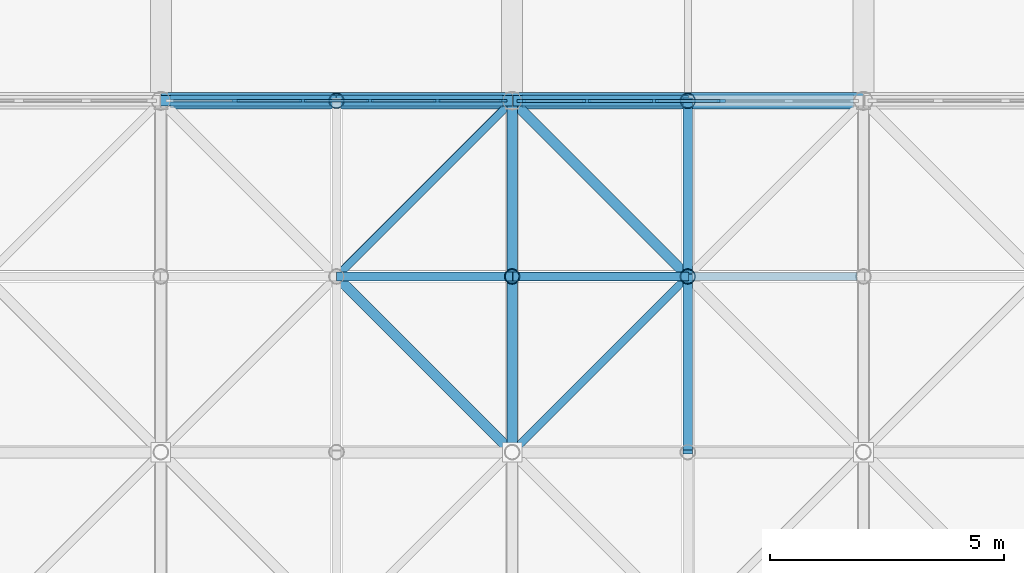
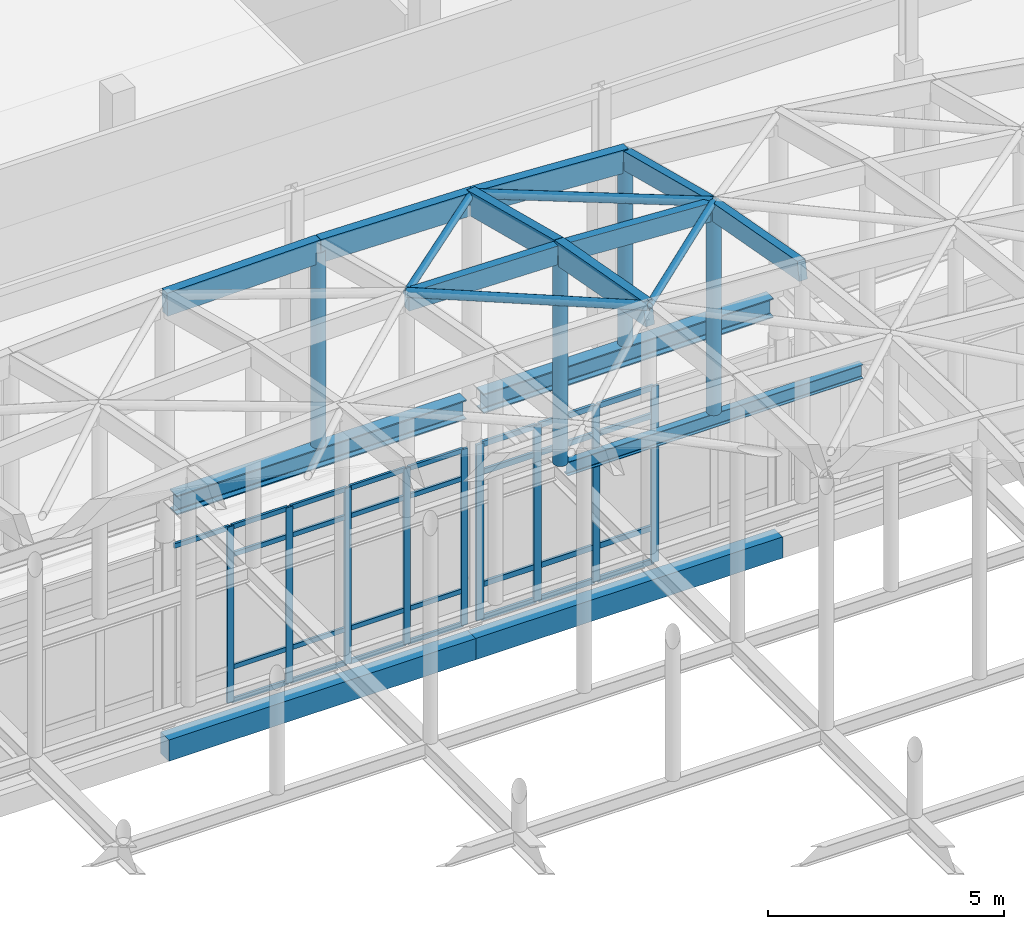
# One storey, part 41 of 131: 55 members, 5 beams, 2 elements without a shape of their own.
"""IFC4 building model written with IfcOpenShell, lengths in metres."""

from ifc_helpers import new_model, si_unit, direction, frame, origin, origin_2d, place, context, subcontext, project, spatial, rectangle, hollow_circle, i_section, extrude, material, layer, layer_set, material_profile, profile_set, type_object, element, aggregate, save


model = new_model("IFC4")

# Units and contexts
model_context = context("Model", 3, precision=1e-05, world=origin(), true_north=direction((0.0, 1.0)))
body_context = subcontext(model_context, "Body", "Model", "MODEL_VIEW")
ifc_project = project(units=[si_unit("LENGTHUNIT", "METRE"), si_unit("AREAUNIT", "SQUARE_METRE"), si_unit("VOLUMEUNIT", "CUBIC_METRE"), si_unit("PLANEANGLEUNIT", "RADIAN"), si_unit("MASSUNIT", "GRAM", prefix="KILO")], contexts=[model_context])

# Site, building, storey
site_placement = place(None, origin())
site = spatial("IfcSite", under=ifc_project, at=site_placement, CompositionType="ELEMENT")
building_placement = place(site_placement, origin())
building = spatial("IfcBuilding", under=site, at=building_placement, Name="Dalvernix Boulevard General Hospital", CompositionType="ELEMENT")
storey_placement = place(building_placement, frame((0.0, 0.0, 9.300048828125)))
storey = spatial("IfcBuildingStorey", under=building, at=storey_placement, Name="L02", CompositionType="ELEMENT", Elevation=9.300048828125)

# Beams
ifc_material_1 = material(Name="Steel S355", Category="steel")
ifc_material_profile_1 = material_profile(ifc_material_1, i_section(OverallWidth=0.300048828125, OverallDepth=0.5, WebThickness=0.014404296875, FlangeThickness=0.028076171875, FilletRadius=0.027099609375, at=origin_2d()), Name="HEB 500")
ifc_profile_set_1 = profile_set([ifc_material_profile_1], Name="Steel S355")
beam_type_1 = type_object("IfcBeamType", Name="BM-RB-02", PredefinedType="BEAM", material=ifc_profile_set_1)
for number, where, z_axis, x_axis, name in (
    (1, (82.7099609375, 61.5, 5.64990234375), (1.0, 0.0, 0.0), (0.0, 1.0, 0.0), "Gridshell Ring Beam N bay 4"),
    (2, (90.2099609375, 61.5, 5.64990234375), (1.0, 0.0, 0.0), (0.0, 1.0, 0.0), "Gridshell Ring Beam N bay 5"),
):
    element("IfcBeam", number, at=place(storey_placement, frame(where, z_axis=z_axis, x_axis=x_axis)), inside=storey, type_object=beam_type_1, Name=name, PredefinedType="BEAM", context=body_context, shape_type="SweptSolid", body=[
        extrude(i_section(OverallWidth=0.300048828125, OverallDepth=0.5, WebThickness=0.014404296875, FlangeThickness=0.028076171875, FilletRadius=0.027099609375, at=origin_2d()), origin(), (0.0, 0.0, 1.0), 7.080078125),
    ])
ifc_material_profile_2 = material_profile(ifc_material_1, i_section(OverallWidth=0.169921875, OverallDepth=0.360107421875, WebThickness=0.008056640625, FlangeThickness=0.0126953125, FilletRadius=0.01806640625, at=origin_2d()), Name="IPE 360")
ifc_profile_set_2 = profile_set([ifc_material_profile_2], Name="Steel S355")
beam_type_2 = type_object("IfcBeamType", Name="BM-RB-08", PredefinedType="BEAM", material=ifc_profile_set_2)
beam_placement = place(storey_placement, frame((90.14208984375, 57.75, 6.219970703125), z_axis=(1.0, 0.0, 0.0), x_axis=(0.0, 1.0, 0.0)))
element("IfcBeam", 3, at=beam_placement, inside=storey, type_object=beam_type_2, Name="ROOF TRUSS Gridshell cross tie 8-7", PredefinedType="BEAM", context=body_context, shape_type="SweptSolid", body=[
    extrude(i_section(OverallWidth=0.169921875, OverallDepth=0.360107421875, WebThickness=0.008056640625, FlangeThickness=0.0126953125, FilletRadius=0.01806640625, at=origin_2d()), origin(), (0.0, 0.0, 1.0), 7.2158203125),
])
ifc_material_2 = material(Name="Concrete C35/45", Category="concrete")
ifc_material_profile_3 = material_profile(ifc_material_2, rectangle(XDim=0.35009765625, YDim=0.550048828125, at=origin_2d()), Name="RCB 350x550")
ifc_profile_set_3 = profile_set([ifc_material_profile_3], Name="Concrete C35/45")
beam_type_3 = type_object("IfcBeamType", Name="BM-SB-01-E", PredefinedType="SPANDREL", material=ifc_profile_set_3)
for number, where, z_axis, x_axis, name in (
    (4, (82.5, 61.5, -0.594970703125), (1.0, 0.0, 0.0), (0.0, 1.0, 0.0), "L02 E-W girder J:12-13"),
    (5, (90.0, 61.5, -0.594970703125), (1.0, 0.0, 0.0), (0.0, 1.0, 0.0), "L02 E-W girder J:13-14"),
):
    element("IfcBeam", number, at=place(storey_placement, frame(where, z_axis=z_axis, x_axis=x_axis)), inside=storey, type_object=beam_type_3, Name=name, PredefinedType="SPANDREL", context=body_context, shape_type="SweptSolid", body=[
        extrude(rectangle(XDim=0.35009765625, YDim=0.550048828125, at=origin_2d()), origin(), (0.0, 0.0, 1.0), 7.5),
    ])

# Curtain wall, members
ifc_material_3 = material(Name="Thermally broken aluminium and solar-control glass curtain wall", Category="aluminium")
ifc_layer_1 = layer(ifc_material_3, 0.159912109375)
ifc_layer_set_1 = layer_set([ifc_layer_1], Name="Thermally broken aluminium and solar-control glass curtain wall (CW-CW-A-72x46)")
curtain_wall_type_1 = type_object("IfcCurtainWallType", Name="CW-CW-A-72x46", PredefinedType="USERDEFINED", material=ifc_layer_set_1)
curtain_wall_1_placement = place(storey_placement, origin())
curtain_wall_1 = element("IfcCurtainWall", 6, at=curtain_wall_1_placement, inside=storey, type_object=curtain_wall_type_1, Name="L02 curtain wall CW-A-72x46 11-8", ObjectType="GLAZED FACADE", PredefinedType="USERDEFINED")
ifc_material_4 = material(Name="Aluminium EN AW-6060", Category="aluminium")
ifc_material_profile_4 = material_profile(ifc_material_4, rectangle(XDim=0.06005859375, YDim=0.159912109375, at=origin_2d()), Name="ALU MULL 60x160")
ifc_profile_set_4 = profile_set([ifc_material_profile_4], Name="Aluminium EN AW-6060")
member_type_1 = type_object("IfcMemberType", Name="MEM-CW-M1", PredefinedType="MULLION", material=ifc_profile_set_4)
member_1_placement = place(storey_placement, frame((89.81005859375, 61.5, 0.0), z_axis=(0.0, 0.0, 1.0), x_axis=(0.0, -1.0, 0.0)))
member_1 = element("IfcMember", 7, at=member_1_placement, type_object=member_type_1, Name="CW-A-72x46 mullion 1", PredefinedType="MULLION", context=body_context, shape_type="SweptSolid", body=[
    extrude(rectangle(XDim=0.06005859375, YDim=0.159912109375, at=origin_2d()), origin(), (0.0, 0.0, 1.0), 4.550048828125),
])
member_2_placement = place(storey_placement, frame((88.404052734375, 61.5, 0.0), z_axis=(0.0, 0.0, 1.0), x_axis=(0.0, -1.0, 0.0)))
member_2 = element("IfcMember", 8, at=member_2_placement, type_object=member_type_1, Name="CW-A-72x46 mullion 2", PredefinedType="MULLION", context=body_context, shape_type="SweptSolid", body=[
    extrude(rectangle(XDim=0.06005859375, YDim=0.159912109375, at=origin_2d()), origin(), (0.0, 0.0, 1.0), 4.550048828125),
])
member_3_placement = place(storey_placement, frame((86.968017578125, 61.5, 0.0), z_axis=(0.0, 0.0, 1.0), x_axis=(0.0, -1.0, 0.0)))
member_3 = element("IfcMember", 9, at=member_3_placement, type_object=member_type_1, Name="CW-A-72x46 mullion 3", PredefinedType="MULLION", context=body_context, shape_type="SweptSolid", body=[
    extrude(rectangle(XDim=0.06005859375, YDim=0.159912109375, at=origin_2d()), origin(), (0.0, 0.0, 1.0), 4.550048828125),
])
member_4_placement = place(storey_placement, frame((85.531982421875, 61.5, 0.0), z_axis=(0.0, 0.0, 1.0), x_axis=(0.0, -1.0, 0.0)))
member_4 = element("IfcMember", 10, at=member_4_placement, type_object=member_type_1, Name="CW-A-72x46 mullion 4", PredefinedType="MULLION", context=body_context, shape_type="SweptSolid", body=[
    extrude(rectangle(XDim=0.06005859375, YDim=0.159912109375, at=origin_2d()), origin(), (0.0, 0.0, 1.0), 4.550048828125),
])
member_5_placement = place(storey_placement, frame((84.095947265625, 61.5, 0.0), z_axis=(0.0, 0.0, 1.0), x_axis=(0.0, -1.0, 0.0)))
member_5 = element("IfcMember", 11, at=member_5_placement, type_object=member_type_1, Name="CW-A-72x46 mullion 5", PredefinedType="MULLION", context=body_context, shape_type="SweptSolid", body=[
    extrude(rectangle(XDim=0.06005859375, YDim=0.159912109375, at=origin_2d()), origin(), (0.0, 0.0, 1.0), 4.550048828125),
])

ifc_layer_2 = layer(ifc_material_3, 0.179931640625)
ifc_layer_set_2 = layer_set([ifc_layer_2], Name="Thermally broken aluminium and solar-control glass curtain wall (CW-CW-B-72x46)")
curtain_wall_type_2 = type_object("IfcCurtainWallType", Name="CW-CW-B-72x46", PredefinedType="USERDEFINED", material=ifc_layer_set_2)
curtain_wall_2_placement = place(storey_placement, origin())
curtain_wall_2 = element("IfcCurtainWall", 12, at=curtain_wall_2_placement, inside=storey, type_object=curtain_wall_type_2, Name="L02 curtain wall CW-B-72x46 12-8", ObjectType="GLAZED FACADE", PredefinedType="USERDEFINED")
ifc_material_profile_5 = material_profile(ifc_material_4, rectangle(XDim=0.06494140625, YDim=0.179931640625, at=origin_2d()), Name="ALU MULL 65x180")
ifc_profile_set_5 = profile_set([ifc_material_profile_5], Name="Aluminium EN AW-6060")
member_type_2 = type_object("IfcMemberType", Name="MEM-CW-M2", PredefinedType="MULLION", material=ifc_profile_set_5)
member_6_placement = place(storey_placement, frame((94.468017578125, 61.5, 0.0), z_axis=(0.0, 0.0, 1.0), x_axis=(0.0, -1.0, 0.0)))
member_6 = element("IfcMember", 13, at=member_6_placement, type_object=member_type_2, Name="CW-B-72x46 mullion 3", PredefinedType="MULLION", context=body_context, shape_type="SweptSolid", body=[
    extrude(rectangle(XDim=0.06494140625, YDim=0.179931640625, at=origin_2d()), origin(), (0.0, 0.0, 1.0), 4.550048828125),
])
member_7_placement = place(storey_placement, frame((93.031982421875, 61.5, 0.0), z_axis=(0.0, 0.0, 1.0), x_axis=(0.0, -1.0, 0.0)))
member_7 = element("IfcMember", 14, at=member_7_placement, type_object=member_type_2, Name="CW-B-72x46 mullion 4", PredefinedType="MULLION", context=body_context, shape_type="SweptSolid", body=[
    extrude(rectangle(XDim=0.06494140625, YDim=0.179931640625, at=origin_2d()), origin(), (0.0, 0.0, 1.0), 4.550048828125),
])
member_8_placement = place(storey_placement, frame((91.595947265625, 61.5, 0.0), z_axis=(0.0, 0.0, 1.0), x_axis=(0.0, -1.0, 0.0)))
member_8 = element("IfcMember", 15, at=member_8_placement, type_object=member_type_2, Name="CW-B-72x46 mullion 5", PredefinedType="MULLION", context=body_context, shape_type="SweptSolid", body=[
    extrude(rectangle(XDim=0.06494140625, YDim=0.179931640625, at=origin_2d()), origin(), (0.0, 0.0, 1.0), 4.550048828125),
])
member_9_placement = place(storey_placement, frame((90.1923828125, 61.5, 0.0), z_axis=(0.0, 0.0, 1.0), x_axis=(0.0, -1.0, 0.0)))
member_9 = element("IfcMember", 16, at=member_9_placement, type_object=member_type_2, Name="CW-B-72x46 mullion 6", PredefinedType="MULLION", context=body_context, shape_type="SweptSolid", body=[
    extrude(rectangle(XDim=0.06494140625, YDim=0.179931640625, at=origin_2d()), origin(), (0.0, 0.0, 1.0), 4.550048828125),
])

# Member
ifc_material_profile_6 = material_profile(ifc_material_4, rectangle(XDim=0.06005859375, YDim=0.1201171875, at=origin_2d()), Name="ALU TRAN 60x120")
ifc_profile_set_6 = profile_set([ifc_material_profile_6], Name="Aluminium EN AW-6060")
member_type_3 = type_object("IfcMemberType", Name="MEM-CW-T1", PredefinedType="USERDEFINED", material=ifc_profile_set_6)
member_10_placement = place(storey_placement, frame((89.780029296875, 61.5, 0.030029296875), z_axis=(-1.0, 0.0, 0.0), x_axis=(0.0, -1.0, 0.0)))
member_10 = element("IfcMember", 17, at=member_10_placement, type_object=member_type_3, Name="CW-A-72x46 transom 1.1", ObjectType="TRANSOM", PredefinedType="USERDEFINED", context=body_context, shape_type="SweptSolid", body=[
    extrude(rectangle(XDim=0.06005859375, YDim=0.1201171875, at=origin_2d()), origin(), (0.0, 0.0, 1.0), 1.345947265625),
])

member_11_placement = place(storey_placement, frame((89.780029296875, 61.5, 0.89990234375), z_axis=(-1.0, 0.0, 0.0), x_axis=(0.0, -1.0, 0.0)))
member_11 = element("IfcMember", 18, at=member_11_placement, type_object=member_type_3, Name="CW-A-72x46 transom 1.2", ObjectType="TRANSOM", PredefinedType="USERDEFINED", context=body_context, shape_type="SweptSolid", body=[
    extrude(rectangle(XDim=0.06005859375, YDim=0.1201171875, at=origin_2d()), origin(), (0.0, 0.0, 1.0), 1.345947265625),
])

member_12_placement = place(storey_placement, frame((89.780029296875, 61.5, 3.800048828125), z_axis=(-1.0, 0.0, 0.0), x_axis=(0.0, -1.0, 0.0)))
member_12 = element("IfcMember", 19, at=member_12_placement, type_object=member_type_3, Name="CW-A-72x46 transom 1.3", ObjectType="TRANSOM", PredefinedType="USERDEFINED", context=body_context, shape_type="SweptSolid", body=[
    extrude(rectangle(XDim=0.06005859375, YDim=0.1201171875, at=origin_2d()), origin(), (0.0, 0.0, 1.0), 1.345947265625),
])

member_13_placement = place(storey_placement, frame((89.780029296875, 61.5, 4.52001953125), z_axis=(-1.0, 0.0, 0.0), x_axis=(0.0, -1.0, 0.0)))
member_13 = element("IfcMember", 20, at=member_13_placement, type_object=member_type_3, Name="CW-A-72x46 transom 1.4", ObjectType="TRANSOM", PredefinedType="USERDEFINED", context=body_context, shape_type="SweptSolid", body=[
    extrude(rectangle(XDim=0.06005859375, YDim=0.1201171875, at=origin_2d()), origin(), (0.0, 0.0, 1.0), 1.345947265625),
])

member_14_placement = place(storey_placement, frame((88.3740234375, 61.5, 0.030029296875), z_axis=(-1.0, 0.0, 0.0), x_axis=(0.0, -1.0, 0.0)))
member_14 = element("IfcMember", 21, at=member_14_placement, type_object=member_type_3, Name="CW-A-72x46 transom 2.1", ObjectType="TRANSOM", PredefinedType="USERDEFINED", context=body_context, shape_type="SweptSolid", body=[
    extrude(rectangle(XDim=0.06005859375, YDim=0.1201171875, at=origin_2d()), origin(), (0.0, 0.0, 1.0), 1.3759765625),
])

member_15_placement = place(storey_placement, frame((88.3740234375, 61.5, 0.89990234375), z_axis=(-1.0, 0.0, 0.0), x_axis=(0.0, -1.0, 0.0)))
member_15 = element("IfcMember", 22, at=member_15_placement, type_object=member_type_3, Name="CW-A-72x46 transom 2.2", ObjectType="TRANSOM", PredefinedType="USERDEFINED", context=body_context, shape_type="SweptSolid", body=[
    extrude(rectangle(XDim=0.06005859375, YDim=0.1201171875, at=origin_2d()), origin(), (0.0, 0.0, 1.0), 1.3759765625),
])

member_16_placement = place(storey_placement, frame((88.3740234375, 61.5, 3.800048828125), z_axis=(-1.0, 0.0, 0.0), x_axis=(0.0, -1.0, 0.0)))
member_16 = element("IfcMember", 23, at=member_16_placement, type_object=member_type_3, Name="CW-A-72x46 transom 2.3", ObjectType="TRANSOM", PredefinedType="USERDEFINED", context=body_context, shape_type="SweptSolid", body=[
    extrude(rectangle(XDim=0.06005859375, YDim=0.1201171875, at=origin_2d()), origin(), (0.0, 0.0, 1.0), 1.3759765625),
])

member_17_placement = place(storey_placement, frame((88.3740234375, 61.5, 4.52001953125), z_axis=(-1.0, 0.0, 0.0), x_axis=(0.0, -1.0, 0.0)))
member_17 = element("IfcMember", 24, at=member_17_placement, type_object=member_type_3, Name="CW-A-72x46 transom 2.4", ObjectType="TRANSOM", PredefinedType="USERDEFINED", context=body_context, shape_type="SweptSolid", body=[
    extrude(rectangle(XDim=0.06005859375, YDim=0.1201171875, at=origin_2d()), origin(), (0.0, 0.0, 1.0), 1.3759765625),
])

member_18_placement = place(storey_placement, frame((86.93798828125, 61.5, 0.030029296875), z_axis=(-1.0, 0.0, 0.0), x_axis=(0.0, -1.0, 0.0)))
member_18 = element("IfcMember", 25, at=member_18_placement, type_object=member_type_3, Name="CW-A-72x46 transom 3.1", ObjectType="TRANSOM", PredefinedType="USERDEFINED", context=body_context, shape_type="SweptSolid", body=[
    extrude(rectangle(XDim=0.06005859375, YDim=0.1201171875, at=origin_2d()), origin(), (0.0, 0.0, 1.0), 1.3759765625),
])

member_19_placement = place(storey_placement, frame((86.93798828125, 61.5, 0.89990234375), z_axis=(-1.0, 0.0, 0.0), x_axis=(0.0, -1.0, 0.0)))
member_19 = element("IfcMember", 26, at=member_19_placement, type_object=member_type_3, Name="CW-A-72x46 transom 3.2", ObjectType="TRANSOM", PredefinedType="USERDEFINED", context=body_context, shape_type="SweptSolid", body=[
    extrude(rectangle(XDim=0.06005859375, YDim=0.1201171875, at=origin_2d()), origin(), (0.0, 0.0, 1.0), 1.3759765625),
])

member_20_placement = place(storey_placement, frame((86.93798828125, 61.5, 3.800048828125), z_axis=(-1.0, 0.0, 0.0), x_axis=(0.0, -1.0, 0.0)))
member_20 = element("IfcMember", 27, at=member_20_placement, type_object=member_type_3, Name="CW-A-72x46 transom 3.3", ObjectType="TRANSOM", PredefinedType="USERDEFINED", context=body_context, shape_type="SweptSolid", body=[
    extrude(rectangle(XDim=0.06005859375, YDim=0.1201171875, at=origin_2d()), origin(), (0.0, 0.0, 1.0), 1.3759765625),
])

member_21_placement = place(storey_placement, frame((86.93798828125, 61.5, 4.52001953125), z_axis=(-1.0, 0.0, 0.0), x_axis=(0.0, -1.0, 0.0)))
member_21 = element("IfcMember", 28, at=member_21_placement, type_object=member_type_3, Name="CW-A-72x46 transom 3.4", ObjectType="TRANSOM", PredefinedType="USERDEFINED", context=body_context, shape_type="SweptSolid", body=[
    extrude(rectangle(XDim=0.06005859375, YDim=0.1201171875, at=origin_2d()), origin(), (0.0, 0.0, 1.0), 1.3759765625),
])

member_22_placement = place(storey_placement, frame((85.501953125, 61.5, 0.030029296875), z_axis=(-1.0, 0.0, 0.0), x_axis=(0.0, -1.0, 0.0)))
member_22 = element("IfcMember", 29, at=member_22_placement, type_object=member_type_3, Name="CW-A-72x46 transom 4.1", ObjectType="TRANSOM", PredefinedType="USERDEFINED", context=body_context, shape_type="SweptSolid", body=[
    extrude(rectangle(XDim=0.06005859375, YDim=0.1201171875, at=origin_2d()), origin(), (0.0, 0.0, 1.0), 1.3759765625),
])

member_23_placement = place(storey_placement, frame((85.501953125, 61.5, 0.89990234375), z_axis=(-1.0, 0.0, 0.0), x_axis=(0.0, -1.0, 0.0)))
member_23 = element("IfcMember", 30, at=member_23_placement, type_object=member_type_3, Name="CW-A-72x46 transom 4.2", ObjectType="TRANSOM", PredefinedType="USERDEFINED", context=body_context, shape_type="SweptSolid", body=[
    extrude(rectangle(XDim=0.06005859375, YDim=0.1201171875, at=origin_2d()), origin(), (0.0, 0.0, 1.0), 1.3759765625),
])

member_24_placement = place(storey_placement, frame((85.501953125, 61.5, 3.800048828125), z_axis=(-1.0, 0.0, 0.0), x_axis=(0.0, -1.0, 0.0)))
member_24 = element("IfcMember", 31, at=member_24_placement, type_object=member_type_3, Name="CW-A-72x46 transom 4.3", ObjectType="TRANSOM", PredefinedType="USERDEFINED", context=body_context, shape_type="SweptSolid", body=[
    extrude(rectangle(XDim=0.06005859375, YDim=0.1201171875, at=origin_2d()), origin(), (0.0, 0.0, 1.0), 1.3759765625),
])

member_25_placement = place(storey_placement, frame((85.501953125, 61.5, 4.52001953125), z_axis=(-1.0, 0.0, 0.0), x_axis=(0.0, -1.0, 0.0)))
member_25 = element("IfcMember", 32, at=member_25_placement, type_object=member_type_3, Name="CW-A-72x46 transom 4.4", ObjectType="TRANSOM", PredefinedType="USERDEFINED", context=body_context, shape_type="SweptSolid", body=[
    extrude(rectangle(XDim=0.06005859375, YDim=0.1201171875, at=origin_2d()), origin(), (0.0, 0.0, 1.0), 1.3759765625),
])

member_26_placement = place(storey_placement, frame((84.06591796875, 61.5, 4.52001953125), z_axis=(-1.0, 0.0, 0.0), x_axis=(0.0, -1.0, 0.0)))
member_26 = element("IfcMember", 33, at=member_26_placement, type_object=member_type_3, Name="CW-A-72x46 transom 5.4", ObjectType="TRANSOM", PredefinedType="USERDEFINED", context=body_context, shape_type="SweptSolid", body=[
    extrude(rectangle(XDim=0.06005859375, YDim=0.1201171875, at=origin_2d()), origin(), (0.0, 0.0, 1.0), 1.345947265625),
])

aggregate(curtain_wall_1, [member_1, member_2, member_3, member_4, member_5, member_10, member_11, member_12, member_13, member_14, member_15, member_16, member_17, member_18, member_19, member_20, member_21, member_22, member_23, member_24, member_25, member_26])

ifc_material_profile_7 = material_profile(ifc_material_4, rectangle(XDim=0.06494140625, YDim=0.139892578125, at=origin_2d()), Name="ALU TRAN 65x140")
ifc_profile_set_7 = profile_set([ifc_material_profile_7], Name="Aluminium EN AW-6060")
member_type_4 = type_object("IfcMemberType", Name="MEM-CW-T2", PredefinedType="USERDEFINED", material=ifc_profile_set_7)
member_27_placement = place(storey_placement, frame((94.435546875, 61.5, 0.032470703125), z_axis=(-1.0, 0.0, 0.0), x_axis=(0.0, -1.0, 0.0)))
member_27 = element("IfcMember", 34, at=member_27_placement, type_object=member_type_4, Name="CW-B-72x46 transom 3.1", ObjectType="TRANSOM", PredefinedType="USERDEFINED", context=body_context, shape_type="SweptSolid", body=[
    extrude(rectangle(XDim=0.06494140625, YDim=0.139892578125, at=origin_2d()), origin(), (0.0, 0.0, 1.0), 1.37109375),
])

member_28_placement = place(storey_placement, frame((94.435546875, 61.5, 0.89990234375), z_axis=(-1.0, 0.0, 0.0), x_axis=(0.0, -1.0, 0.0)))
member_28 = element("IfcMember", 35, at=member_28_placement, type_object=member_type_4, Name="CW-B-72x46 transom 3.2", ObjectType="TRANSOM", PredefinedType="USERDEFINED", context=body_context, shape_type="SweptSolid", body=[
    extrude(rectangle(XDim=0.06494140625, YDim=0.139892578125, at=origin_2d()), origin(), (0.0, 0.0, 1.0), 1.37109375),
])

member_29_placement = place(storey_placement, frame((94.435546875, 61.5, 3.800048828125), z_axis=(-1.0, 0.0, 0.0), x_axis=(0.0, -1.0, 0.0)))
member_29 = element("IfcMember", 36, at=member_29_placement, type_object=member_type_4, Name="CW-B-72x46 transom 3.3", ObjectType="TRANSOM", PredefinedType="USERDEFINED", context=body_context, shape_type="SweptSolid", body=[
    extrude(rectangle(XDim=0.06494140625, YDim=0.139892578125, at=origin_2d()), origin(), (0.0, 0.0, 1.0), 1.37109375),
])

member_30_placement = place(storey_placement, frame((94.435546875, 61.5, 4.517333984375), z_axis=(-1.0, 0.0, 0.0), x_axis=(0.0, -1.0, 0.0)))
member_30 = element("IfcMember", 37, at=member_30_placement, type_object=member_type_4, Name="CW-B-72x46 transom 3.4", ObjectType="TRANSOM", PredefinedType="USERDEFINED", context=body_context, shape_type="SweptSolid", body=[
    extrude(rectangle(XDim=0.06494140625, YDim=0.139892578125, at=origin_2d()), origin(), (0.0, 0.0, 1.0), 1.37109375),
])

member_31_placement = place(storey_placement, frame((92.99951171875, 61.5, 0.032470703125), z_axis=(-1.0, 0.0, 0.0), x_axis=(0.0, -1.0, 0.0)))
member_31 = element("IfcMember", 38, at=member_31_placement, type_object=member_type_4, Name="CW-B-72x46 transom 4.1", ObjectType="TRANSOM", PredefinedType="USERDEFINED", context=body_context, shape_type="SweptSolid", body=[
    extrude(rectangle(XDim=0.06494140625, YDim=0.139892578125, at=origin_2d()), origin(), (0.0, 0.0, 1.0), 1.37109375),
])

member_32_placement = place(storey_placement, frame((92.99951171875, 61.5, 0.89990234375), z_axis=(-1.0, 0.0, 0.0), x_axis=(0.0, -1.0, 0.0)))
member_32 = element("IfcMember", 39, at=member_32_placement, type_object=member_type_4, Name="CW-B-72x46 transom 4.2", ObjectType="TRANSOM", PredefinedType="USERDEFINED", context=body_context, shape_type="SweptSolid", body=[
    extrude(rectangle(XDim=0.06494140625, YDim=0.139892578125, at=origin_2d()), origin(), (0.0, 0.0, 1.0), 1.37109375),
])

member_33_placement = place(storey_placement, frame((92.99951171875, 61.5, 3.800048828125), z_axis=(-1.0, 0.0, 0.0), x_axis=(0.0, -1.0, 0.0)))
member_33 = element("IfcMember", 40, at=member_33_placement, type_object=member_type_4, Name="CW-B-72x46 transom 4.3", ObjectType="TRANSOM", PredefinedType="USERDEFINED", context=body_context, shape_type="SweptSolid", body=[
    extrude(rectangle(XDim=0.06494140625, YDim=0.139892578125, at=origin_2d()), origin(), (0.0, 0.0, 1.0), 1.37109375),
])

member_34_placement = place(storey_placement, frame((92.99951171875, 61.5, 4.517333984375), z_axis=(-1.0, 0.0, 0.0), x_axis=(0.0, -1.0, 0.0)))
member_34 = element("IfcMember", 41, at=member_34_placement, type_object=member_type_4, Name="CW-B-72x46 transom 4.4", ObjectType="TRANSOM", PredefinedType="USERDEFINED", context=body_context, shape_type="SweptSolid", body=[
    extrude(rectangle(XDim=0.06494140625, YDim=0.139892578125, at=origin_2d()), origin(), (0.0, 0.0, 1.0), 1.37109375),
])

member_35_placement = place(storey_placement, frame((91.5634765625, 61.5, 0.032470703125), z_axis=(-1.0, 0.0, 0.0), x_axis=(0.0, -1.0, 0.0)))
member_35 = element("IfcMember", 42, at=member_35_placement, type_object=member_type_4, Name="CW-B-72x46 transom 5.1", ObjectType="TRANSOM", PredefinedType="USERDEFINED", context=body_context, shape_type="SweptSolid", body=[
    extrude(rectangle(XDim=0.06494140625, YDim=0.139892578125, at=origin_2d()), origin(), (0.0, 0.0, 1.0), 1.33837890625),
])

member_36_placement = place(storey_placement, frame((91.5634765625, 61.5, 0.89990234375), z_axis=(-1.0, 0.0, 0.0), x_axis=(0.0, -1.0, 0.0)))
member_36 = element("IfcMember", 43, at=member_36_placement, type_object=member_type_4, Name="CW-B-72x46 transom 5.2", ObjectType="TRANSOM", PredefinedType="USERDEFINED", context=body_context, shape_type="SweptSolid", body=[
    extrude(rectangle(XDim=0.06494140625, YDim=0.139892578125, at=origin_2d()), origin(), (0.0, 0.0, 1.0), 1.33837890625),
])

member_37_placement = place(storey_placement, frame((91.5634765625, 61.5, 3.800048828125), z_axis=(-1.0, 0.0, 0.0), x_axis=(0.0, -1.0, 0.0)))
member_37 = element("IfcMember", 44, at=member_37_placement, type_object=member_type_4, Name="CW-B-72x46 transom 5.3", ObjectType="TRANSOM", PredefinedType="USERDEFINED", context=body_context, shape_type="SweptSolid", body=[
    extrude(rectangle(XDim=0.06494140625, YDim=0.139892578125, at=origin_2d()), origin(), (0.0, 0.0, 1.0), 1.33837890625),
])

member_38_placement = place(storey_placement, frame((91.5634765625, 61.5, 4.517333984375), z_axis=(-1.0, 0.0, 0.0), x_axis=(0.0, -1.0, 0.0)))
member_38 = element("IfcMember", 45, at=member_38_placement, type_object=member_type_4, Name="CW-B-72x46 transom 5.4", ObjectType="TRANSOM", PredefinedType="USERDEFINED", context=body_context, shape_type="SweptSolid", body=[
    extrude(rectangle(XDim=0.06494140625, YDim=0.139892578125, at=origin_2d()), origin(), (0.0, 0.0, 1.0), 1.33837890625),
])

aggregate(curtain_wall_2, [member_6, member_7, member_8, member_9, member_27, member_28, member_29, member_30, member_31, member_32, member_33, member_34, member_35, member_36, member_37, member_38])

# Members
ifc_material_5 = material(Name="Glulam GL28h", Category="wood")
ifc_material_profile_8 = material_profile(ifc_material_5, rectangle(XDim=0.219970703125, YDim=0.60009765625, at=origin_2d()), Name="GL28h 220x600")
ifc_profile_set_8 = profile_set([ifc_material_profile_8], Name="Glulam GL28h")
member_type_5 = type_object("IfcMemberType", Name="MEM-GS-C1", PredefinedType="CHORD", material=ifc_profile_set_8)
for number, where, z_axis, x_axis, name in (
    (46, (82.5, 61.5, 10.880615234375), (0.999829111468, 0.0, 0.018486423676), (0.0, 1.0, 0.0), "ROOF TRUSS Gridshell E-W glulam rib 7-9"),
    (47, (86.25, 61.5, 10.949951171875), (0.999829111468, 0.0, -0.018486423676), (0.0, 1.0, 0.0), "ROOF TRUSS Gridshell E-W glulam rib 8-9"),
):
    element("IfcMember", number, at=place(storey_placement, frame(where, z_axis=z_axis, x_axis=x_axis)), inside=storey, type_object=member_type_5, Name=name, PredefinedType="CHORD", context=body_context, shape_type="SweptSolid", body=[
        extrude(rectangle(XDim=0.219970703125, YDim=0.60009765625, at=origin_2d()), origin(), (0.0, 0.0, 1.0), 3.750732421875),
    ])
member_39_placement = place(storey_placement, frame((90.0, 61.5, 10.880615234375), z_axis=(0.998461553046, 0.0, -0.055448418278), x_axis=(0.0, 1.0, 0.0)))
element("IfcMember", 48, at=member_39_placement, inside=storey, type_object=member_type_5, Name="ROOF TRUSS Gridshell E-W glulam rib 9-9", PredefinedType="CHORD", context=body_context, shape_type="SweptSolid", body=[
    extrude(rectangle(XDim=0.219970703125, YDim=0.60009765625, at=origin_2d()), origin(), (0.0, 0.0, 1.0), 3.755859375),
])
member_40_placement = place(storey_placement, frame((90.0, 54.0, 12.530517578125), z_axis=(0.0, 0.983606557377, -0.180327868852), x_axis=(-1.0, 0.0, 0.0)))
element("IfcMember", 49, at=member_40_placement, inside=storey, type_object=member_type_5, Name="ROOF TRUSS Gridshell N-S glulam rib 9-7", PredefinedType="CHORD", context=body_context, shape_type="SweptSolid", body=[
    extrude(rectangle(XDim=0.219970703125, YDim=0.60009765625, at=origin_2d()), origin(), (0.0, 0.0, 1.0), 3.8125),
])
member_41_placement = place(storey_placement, frame((90.0, 57.75, 11.843017578125), z_axis=(0.0, 0.968610158303, -0.248584716408), x_axis=(-1.0, 0.0, 0.0)))
element("IfcMember", 50, at=member_41_placement, inside=storey, type_object=member_type_5, Name="ROOF TRUSS Gridshell N-S glulam rib 9-8", PredefinedType="CHORD", context=body_context, shape_type="SweptSolid", body=[
    extrude(rectangle(XDim=0.219970703125, YDim=0.60009765625, at=origin_2d()), origin(), (0.0, 0.0, 1.0), 3.87158203125),
])
ifc_material_profile_9 = material_profile(ifc_material_5, rectangle(XDim=0.199951171875, YDim=0.47998046875, at=origin_2d()), Name="GL28h 200x480")
ifc_profile_set_9 = profile_set([ifc_material_profile_9], Name="Glulam GL28h")
member_type_6 = type_object("IfcMemberType", Name="MEM-GS-C2", PredefinedType="CHORD", material=ifc_profile_set_9)
member_42_placement = place(storey_placement, frame((86.25, 57.75, 11.912353515625), z_axis=(0.999829111468, 0.0, -0.018486423676), x_axis=(0.0, 1.0, 0.0)))
element("IfcMember", 51, at=member_42_placement, inside=storey, type_object=member_type_6, Name="ROOF TRUSS Gridshell E-W glulam rib 8-8", PredefinedType="CHORD", context=body_context, shape_type="SweptSolid", body=[
    extrude(rectangle(XDim=0.199951171875, YDim=0.47998046875, at=origin_2d()), origin(), (0.0, 0.0, 1.0), 3.750732421875),
])
member_43_placement = place(storey_placement, frame((90.0, 57.75, 11.843017578125), z_axis=(0.998461553046, 0.0, -0.055448418278), x_axis=(0.0, 1.0, 0.0)))
element("IfcMember", 52, at=member_43_placement, inside=storey, type_object=member_type_6, Name="ROOF TRUSS Gridshell E-W glulam rib 9-8", PredefinedType="CHORD", context=body_context, shape_type="SweptSolid", body=[
    extrude(rectangle(XDim=0.199951171875, YDim=0.47998046875, at=origin_2d()), origin(), (0.0, 0.0, 1.0), 3.755859375),
])
member_44_placement = place(storey_placement, frame((93.75, 54.0, 12.322265625), z_axis=(0.0, 0.983606557377, -0.180327868852), x_axis=(-1.0, 0.0, 0.0)))
element("IfcMember", 53, at=member_44_placement, inside=storey, type_object=member_type_6, Name="ROOF TRUSS Gridshell N-S glulam rib 10-7", PredefinedType="CHORD", context=body_context, shape_type="SweptSolid", body=[
    extrude(rectangle(XDim=0.199951171875, YDim=0.47998046875, at=origin_2d()), origin(), (0.0, 0.0, 1.0), 3.8125),
])
member_45_placement = place(storey_placement, frame((93.75, 57.75, 11.634765625), z_axis=(0.0, 0.968610158303, -0.248584716408), x_axis=(-1.0, 0.0, 0.0)))
element("IfcMember", 54, at=member_45_placement, inside=storey, type_object=member_type_6, Name="ROOF TRUSS Gridshell N-S glulam rib 10-8", PredefinedType="CHORD", context=body_context, shape_type="SweptSolid", body=[
    extrude(rectangle(XDim=0.199951171875, YDim=0.47998046875, at=origin_2d()), origin(), (0.0, 0.0, 1.0), 3.87158203125),
])
ifc_material_profile_10 = material_profile(ifc_material_1, hollow_circle(Radius=0.161865234375, WallThickness=0.012451171875, at=origin_2d()), Name="CHS 323.9x12.5")
ifc_profile_set_10 = profile_set([ifc_material_profile_10], Name="Steel S355")
member_type_7 = type_object("IfcMemberType", Name="MEM-GS-C3", PredefinedType="CHORD", material=ifc_profile_set_10)
member_46_placement = place(storey_placement, frame((86.25, 61.5, 5.89990234375), z_axis=(0.0, 0.0, 1.0), x_axis=(1.0, 0.0, 0.0)))
element("IfcMember", 55, at=member_46_placement, inside=storey, type_object=member_type_7, Name="Gridshell edge mullion 7-8", PredefinedType="CHORD", context=body_context, shape_type="SweptSolid", body=[
    extrude(hollow_circle(Radius=0.161865234375, WallThickness=0.012451171875, at=origin_2d()), origin(), (0.0, 0.0, 1.0), 5.050048828125),
])
member_47_placement = place(storey_placement, frame((93.75, 61.5, 5.89990234375), z_axis=(0.0, 0.0, 1.0), x_axis=(1.0, 0.0, 0.0)))
element("IfcMember", 56, at=member_47_placement, inside=storey, type_object=member_type_7, Name="Gridshell edge mullion 9-8", PredefinedType="CHORD", context=body_context, shape_type="SweptSolid", body=[
    extrude(hollow_circle(Radius=0.161865234375, WallThickness=0.012451171875, at=origin_2d()), origin(), (0.0, 0.0, 1.0), 4.7724609375),
])
member_48_placement = place(storey_placement, frame((90.0, 57.75, 6.39990234375), z_axis=(0.0, 0.0, 1.0), x_axis=(1.0, 0.0, 0.0)))
element("IfcMember", 57, at=member_48_placement, inside=storey, type_object=member_type_7, Name="ROOF TRUSS Gridshell arch queen post 8-7", PredefinedType="CHORD", context=body_context, shape_type="SweptSolid", body=[
    extrude(hollow_circle(Radius=0.161865234375, WallThickness=0.012451171875, at=origin_2d()), origin(), (0.0, 0.0, 1.0), 5.443115234375),
])
member_49_placement = place(storey_placement, frame((93.75, 57.75, 6.39990234375), z_axis=(0.0, 0.0, 1.0), x_axis=(1.0, 0.0, 0.0)))
element("IfcMember", 58, at=member_49_placement, inside=storey, type_object=member_type_7, Name="ROOF TRUSS Gridshell arch queen post 9-7", PredefinedType="CHORD", context=body_context, shape_type="SweptSolid", body=[
    extrude(hollow_circle(Radius=0.161865234375, WallThickness=0.012451171875, at=origin_2d()), origin(), (0.0, 0.0, 1.0), 5.23486328125),
])
ifc_material_profile_11 = material_profile(ifc_material_1, hollow_circle(Radius=0.084228515625, WallThickness=0.00634765625, at=origin_2d()), Name="CHS 168.3x6.3")
ifc_profile_set_11 = profile_set([ifc_material_profile_11], Name="Steel S355")
member_type_8 = type_object("IfcMemberType", Name="MEM-GSD-01", PredefinedType="BRACE", material=ifc_profile_set_11)
member_50_placement = place(storey_placement, frame((86.25, 57.75, 12.1025390625), z_axis=(0.694087641346, 0.694087641346, -0.191009665363), x_axis=(-0.707106781187, 0.707106781187, 0.0)))
element("IfcMember", 59, at=member_50_placement, inside=storey, type_object=member_type_8, Name="ROOF TRUSS Gridshell diagrid tube 8-8", PredefinedType="BRACE", context=body_context, shape_type="SweptSolid", body=[
    extrude(hollow_circle(Radius=0.084228515625, WallThickness=0.00634765625, at=origin_2d()), origin(), (0.0, 0.0, 1.0), 5.40283203125),
])
member_51_placement = place(storey_placement, frame((90.0, 54.0, 12.720458984375), z_axis=(0.69723641879, 0.69723641879, -0.166501509383), x_axis=(-0.707106781187, 0.707106781187, 0.0)))
element("IfcMember", 60, at=member_51_placement, inside=storey, type_object=member_type_8, Name="ROOF TRUSS Gridshell diagrid tube 9-7", PredefinedType="BRACE", context=body_context, shape_type="SweptSolid", body=[
    extrude(hollow_circle(Radius=0.084228515625, WallThickness=0.00634765625, at=origin_2d()), origin(), (0.0, 0.0, 1.0), 5.37841796875),
])
ifc_material_profile_12 = material_profile(ifc_material_1, hollow_circle(Radius=0.109619140625, WallThickness=0.008056640625, at=origin_2d()), Name="CHS 219.1x8.0")
ifc_profile_set_12 = profile_set([ifc_material_profile_12], Name="Steel S355")
member_type_9 = type_object("IfcMemberType", Name="MEM-GSD-02", PredefinedType="BRACE", material=ifc_profile_set_12)
member_52_placement = place(storey_placement, frame((90.0, 54.0, 12.720458984375), z_axis=(-0.702355265551, 0.702355265551, -0.115733149551), x_axis=(-0.707106781187, -0.707106781187, 0.0)))
element("IfcMember", 61, at=member_52_placement, inside=storey, type_object=member_type_9, Name="ROOF TRUSS Gridshell diagrid tube 8-7", PredefinedType="BRACE", context=body_context, shape_type="SweptSolid", body=[
    extrude(hollow_circle(Radius=0.109619140625, WallThickness=0.008056640625, at=origin_2d()), origin(), (0.0, 0.0, 1.0), 5.339111328125),
])
member_53_placement = place(storey_placement, frame((93.75, 57.75, 11.824951171875), z_axis=(-0.700059381411, 0.700059381411, -0.14083225837), x_axis=(-0.707106781187, -0.707106781187, 0.0)))
element("IfcMember", 62, at=member_53_placement, inside=storey, type_object=member_type_9, Name="ROOF TRUSS Gridshell diagrid tube 9-8", PredefinedType="BRACE", context=body_context, shape_type="SweptSolid", body=[
    extrude(hollow_circle(Radius=0.109619140625, WallThickness=0.008056640625, at=origin_2d()), origin(), (0.0, 0.0, 1.0), 5.356689453125),
])

save(model, "model.ifc")
